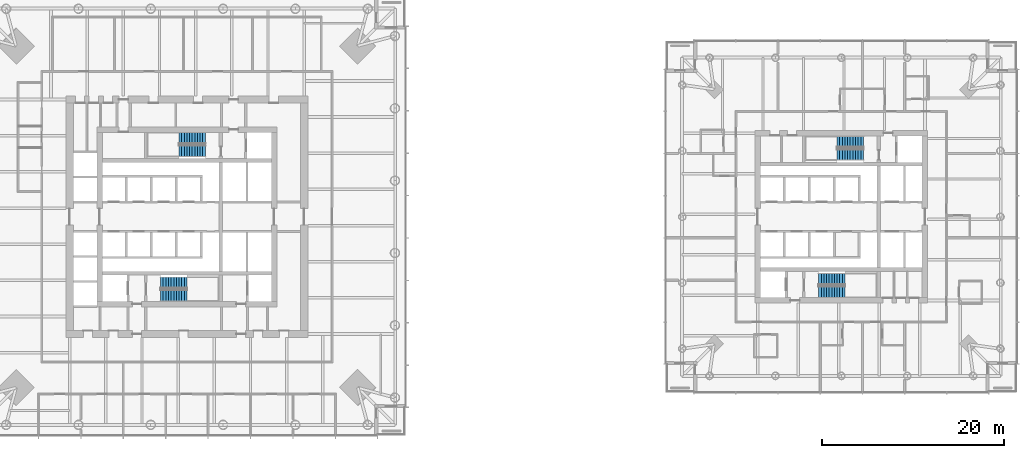
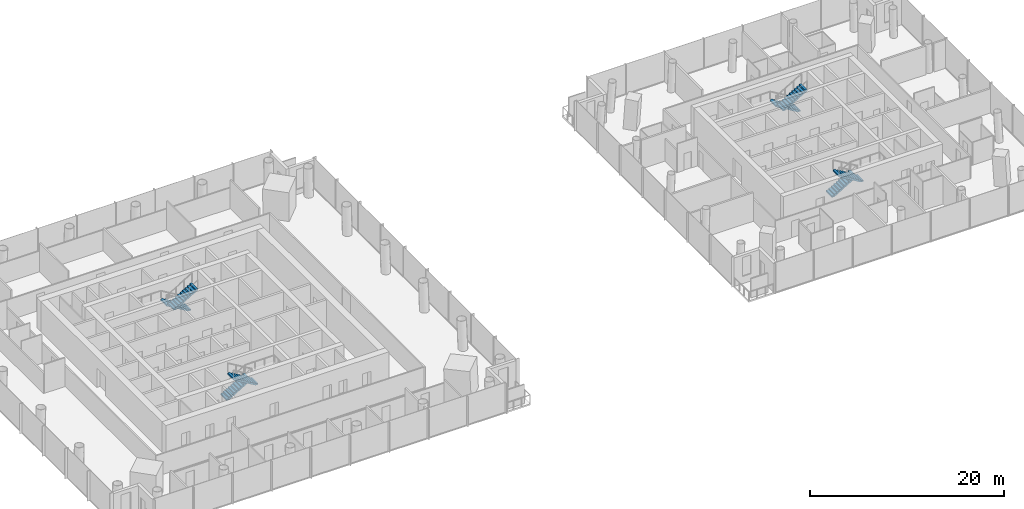
# One storey, part 16 of 18: 8 stair flights, 4 elements without a shape of their own.
"""IFC4 building model written with IfcOpenShell, lengths in metres."""

from ifc_helpers import new_model, si_unit, direction, frame, origin, place, context, subcontext, project, spatial, polyline, outline, extrude, material, type_object, element, aggregate, save


model = new_model("IFC4")

# Units and contexts
model_context = context("Model", 3, precision=1e-05, world=origin(), true_north=direction((0.0, 1.0)))
body_context = subcontext(model_context, "Body", "Model", "MODEL_VIEW")
ifc_project = project(units=[si_unit("LENGTHUNIT", "METRE"), si_unit("AREAUNIT", "SQUARE_METRE"), si_unit("VOLUMEUNIT", "CUBIC_METRE"), si_unit("PLANEANGLEUNIT", "RADIAN"), si_unit("MASSUNIT", "GRAM", prefix="KILO")], contexts=[model_context])

# Site, building, storey
site_placement = place(None, origin())
site = spatial("IfcSite", under=ifc_project, at=site_placement, CompositionType="ELEMENT")
building_placement = place(site_placement, origin())
building = spatial("IfcBuilding", under=site, at=building_placement, Name="Ostroluk Exchange", CompositionType="ELEMENT")
storey_placement = place(building_placement, frame((0.0, 0.0, 55.199951171875)))
storey = spatial("IfcBuildingStorey", under=building, at=storey_placement, Name="L13", CompositionType="ELEMENT", Elevation=55.199951171875)

# Stair, stair flights
ifc_material_1 = material(Name="Concrete C30/37", Category="concrete")
stair_type = type_object("IfcStairType", Name="Exit stair half turn 3800", PredefinedType="HALF_TURN_STAIR", material=ifc_material_1)
stair_1_placement = place(storey_placement, origin())
stair_1 = element("IfcStair", 1, at=stair_1_placement, inside=storey, type_object=stair_type, Name="Stair T1-S1 L13", PredefinedType="HALF_TURN_STAIR")
ifc_material_2 = material(Name="Concrete C30/37", Category="concrete")
stair_flight_type = type_object("IfcStairFlightType", Name="Stair flight 11 risers 172.7 x 290", PredefinedType="STRAIGHT", material=ifc_material_2)
stair_flight_1_placement = place(storey_placement, frame((42.10009765625, 38.77490234375, 0.0), z_axis=(0.0, 0.0, 1.0), x_axis=(1.0, 0.0, 0.0)))
stair_flight_1 = element("IfcStairFlight", 2, at=stair_flight_1_placement, type_object=stair_flight_type, Name="T1-S1 flight 1", NumberOfRisers=11, NumberOfTreads=10, PredefinedType="STRAIGHT", RiserHeight=0.172727273, TreadLength=0.29, context=body_context, shape_type="SweptSolid", body=[
    extrude(outline(polyline([(0.0, 0.0), (0.0, 0.172607421875), (0.2900390625, 0.172607421875), (0.2900390625, 0.345458984375), (0.580078125, 0.345458984375), (0.580078125, 0.51806640625), (0.8701171875, 0.51806640625), (0.8701171875, 0.69091796875), (1.159912109375, 0.69091796875), (1.159912109375, 0.863525390625), (1.449951171875, 0.863525390625), (1.449951171875, 1.036376953125), (1.739990234375, 1.036376953125), (1.739990234375, 1.208984375), (2.030029296875, 1.208984375), (2.030029296875, 1.3818359375), (2.320068359375, 1.3818359375), (2.320068359375, 1.554443359375), (2.610107421875, 1.554443359375), (2.610107421875, 1.727294921875), (2.89990234375, 1.727294921875), (2.89990234375, 1.89990234375), (2.89990234375, 1.552734375), (0.29296875, 0.0), (0.0, 0.0)])), frame((0.0, 0.625, 0.0), z_axis=(0.0, -1.0, 0.0), x_axis=(1.0, 0.0, 0.0)), (0.0, 0.0, 1.0), 1.25),
])
stair_flight_2_placement = place(storey_placement, frame((45.0, 37.324951171875, 1.900146484375), z_axis=(0.0, 0.0, 1.0), x_axis=(-1.0, 0.0, 0.0)))
stair_flight_2 = element("IfcStairFlight", 3, at=stair_flight_2_placement, type_object=stair_flight_type, Name="T1-S1 flight 2", NumberOfRisers=11, NumberOfTreads=10, PredefinedType="STRAIGHT", RiserHeight=0.172727273, TreadLength=0.29, context=body_context, shape_type="SweptSolid", body=[
    extrude(outline(polyline([(0.0, 0.0), (0.0, 0.172607421875), (0.2900390625, 0.172607421875), (0.2900390625, 0.345458984375), (0.580078125, 0.345458984375), (0.580078125, 0.51806640625), (0.8701171875, 0.51806640625), (0.8701171875, 0.69091796875), (1.159912109375, 0.69091796875), (1.159912109375, 0.863525390625), (1.449951171875, 0.863525390625), (1.449951171875, 1.036376953125), (1.739990234375, 1.036376953125), (1.739990234375, 1.208984375), (2.030029296875, 1.208984375), (2.030029296875, 1.3818359375), (2.320068359375, 1.3818359375), (2.320068359375, 1.554443359375), (2.610107421875, 1.554443359375), (2.610107421875, 1.727294921875), (2.89990234375, 1.727294921875), (2.89990234375, 1.89990234375), (2.89990234375, 1.552734375), (0.29296875, 0.0), (0.0, 0.0)])), frame((0.0, 0.625, 0.0), z_axis=(0.0, -1.0, 0.0), x_axis=(1.0, 0.0, 0.0)), (0.0, 0.0, 1.0), 1.25),
])
aggregate(stair_1, [stair_flight_1, stair_flight_2])

stair_2_placement = place(storey_placement, origin())
stair_2 = element("IfcStair", 4, at=stair_2_placement, inside=storey, type_object=stair_type, Name="Stair T1-S2 L13", PredefinedType="HALF_TURN_STAIR")
stair_flight_3_placement = place(storey_placement, frame((47.030029296875, 54.675048828125, 0.0), z_axis=(0.0, 0.0, 1.0), x_axis=(-1.0, 0.0, 0.0)))
stair_flight_3 = element("IfcStairFlight", 5, at=stair_flight_3_placement, type_object=stair_flight_type, Name="T1-S2 flight 1", NumberOfRisers=11, NumberOfTreads=10, PredefinedType="STRAIGHT", RiserHeight=0.172727273, TreadLength=0.29, context=body_context, shape_type="SweptSolid", body=[
    extrude(outline(polyline([(0.0, 0.0), (0.0, 0.172607421875), (0.2900390625, 0.172607421875), (0.2900390625, 0.345458984375), (0.580078125, 0.345458984375), (0.580078125, 0.51806640625), (0.8701171875, 0.51806640625), (0.8701171875, 0.69091796875), (1.159912109375, 0.69091796875), (1.159912109375, 0.863525390625), (1.449951171875, 0.863525390625), (1.449951171875, 1.036376953125), (1.739990234375, 1.036376953125), (1.739990234375, 1.208984375), (2.030029296875, 1.208984375), (2.030029296875, 1.3818359375), (2.320068359375, 1.3818359375), (2.320068359375, 1.554443359375), (2.610107421875, 1.554443359375), (2.610107421875, 1.727294921875), (2.89990234375, 1.727294921875), (2.89990234375, 1.89990234375), (2.89990234375, 1.552734375), (0.29296875, 0.0), (0.0, 0.0)])), frame((0.0, 0.625, 0.0), z_axis=(0.0, -1.0, 0.0), x_axis=(1.0, 0.0, 0.0)), (0.0, 0.0, 1.0), 1.25),
])
stair_flight_4_placement = place(storey_placement, frame((44.1298828125, 53.22509765625, 1.900146484375), z_axis=(0.0, 0.0, 1.0), x_axis=(1.0, 0.0, 0.0)))
stair_flight_4 = element("IfcStairFlight", 6, at=stair_flight_4_placement, type_object=stair_flight_type, Name="T1-S2 flight 2", NumberOfRisers=11, NumberOfTreads=10, PredefinedType="STRAIGHT", RiserHeight=0.172727273, TreadLength=0.29, context=body_context, shape_type="SweptSolid", body=[
    extrude(outline(polyline([(0.0, 0.0), (0.0, 0.172607421875), (0.2900390625, 0.172607421875), (0.2900390625, 0.345458984375), (0.580078125, 0.345458984375), (0.580078125, 0.51806640625), (0.8701171875, 0.51806640625), (0.8701171875, 0.69091796875), (1.159912109375, 0.69091796875), (1.159912109375, 0.863525390625), (1.449951171875, 0.863525390625), (1.449951171875, 1.036376953125), (1.739990234375, 1.036376953125), (1.739990234375, 1.208984375), (2.030029296875, 1.208984375), (2.030029296875, 1.3818359375), (2.320068359375, 1.3818359375), (2.320068359375, 1.554443359375), (2.610107421875, 1.554443359375), (2.610107421875, 1.727294921875), (2.89990234375, 1.727294921875), (2.89990234375, 1.89990234375), (2.89990234375, 1.552734375), (0.29296875, 0.0), (0.0, 0.0)])), frame((0.0, 0.625, 0.0), z_axis=(0.0, -1.0, 0.0), x_axis=(1.0, 0.0, 0.0)), (0.0, 0.0, 1.0), 1.25),
])
aggregate(stair_2, [stair_flight_3, stair_flight_4])

stair_3_placement = place(storey_placement, origin())
stair_3 = element("IfcStair", 7, at=stair_3_placement, inside=storey, type_object=stair_type, Name="Stair T2-S1 L13", PredefinedType="HALF_TURN_STAIR")
stair_flight_5_placement = place(storey_placement, frame((114.5, 39.175048828125, 0.0), z_axis=(0.0, 0.0, 1.0), x_axis=(1.0, 0.0, 0.0)))
stair_flight_5 = element("IfcStairFlight", 8, at=stair_flight_5_placement, type_object=stair_flight_type, Name="T2-S1 flight 1", NumberOfRisers=11, NumberOfTreads=10, PredefinedType="STRAIGHT", RiserHeight=0.172727273, TreadLength=0.29, context=body_context, shape_type="SweptSolid", body=[
    extrude(outline(polyline([(0.0, 0.0), (0.0, 0.172607421875), (0.2900390625, 0.172607421875), (0.2900390625, 0.345458984375), (0.580078125, 0.345458984375), (0.580078125, 0.51806640625), (0.8701171875, 0.51806640625), (0.8701171875, 0.69091796875), (1.159912109375, 0.69091796875), (1.159912109375, 0.863525390625), (1.449951171875, 0.863525390625), (1.449951171875, 1.036376953125), (1.739990234375, 1.036376953125), (1.739990234375, 1.208984375), (2.030029296875, 1.208984375), (2.030029296875, 1.3818359375), (2.320068359375, 1.3818359375), (2.320068359375, 1.554443359375), (2.610107421875, 1.554443359375), (2.610107421875, 1.727294921875), (2.89990234375, 1.727294921875), (2.89990234375, 1.89990234375), (2.89990234375, 1.552734375), (0.29296875, 0.0), (0.0, 0.0)])), frame((0.0, 0.625, 0.0), z_axis=(0.0, -1.0, 0.0), x_axis=(1.0, 0.0, 0.0)), (0.0, 0.0, 1.0), 1.25),
])
stair_flight_6_placement = place(storey_placement, frame((117.39990234375, 37.72509765625, 1.900146484375), z_axis=(0.0, 0.0, 1.0), x_axis=(-1.0, 0.0, 0.0)))
stair_flight_6 = element("IfcStairFlight", 9, at=stair_flight_6_placement, type_object=stair_flight_type, Name="T2-S1 flight 2", NumberOfRisers=11, NumberOfTreads=10, PredefinedType="STRAIGHT", RiserHeight=0.172727273, TreadLength=0.29, context=body_context, shape_type="SweptSolid", body=[
    extrude(outline(polyline([(0.0, 0.0), (0.0, 0.172607421875), (0.2900390625, 0.172607421875), (0.2900390625, 0.345458984375), (0.580078125, 0.345458984375), (0.580078125, 0.51806640625), (0.8701171875, 0.51806640625), (0.8701171875, 0.69091796875), (1.159912109375, 0.69091796875), (1.159912109375, 0.863525390625), (1.449951171875, 0.863525390625), (1.449951171875, 1.036376953125), (1.739990234375, 1.036376953125), (1.739990234375, 1.208984375), (2.030029296875, 1.208984375), (2.030029296875, 1.3818359375), (2.320068359375, 1.3818359375), (2.320068359375, 1.554443359375), (2.610107421875, 1.554443359375), (2.610107421875, 1.727294921875), (2.89990234375, 1.727294921875), (2.89990234375, 1.89990234375), (2.89990234375, 1.552734375), (0.29296875, 0.0), (0.0, 0.0)])), frame((0.0, 0.625, 0.0), z_axis=(0.0, -1.0, 0.0), x_axis=(1.0, 0.0, 0.0)), (0.0, 0.0, 1.0), 1.25),
])
aggregate(stair_3, [stair_flight_5, stair_flight_6])

stair_4_placement = place(storey_placement, origin())
stair_4 = element("IfcStair", 10, at=stair_4_placement, inside=storey, type_object=stair_type, Name="Stair T2-S2 L13", PredefinedType="HALF_TURN_STAIR")
stair_flight_7_placement = place(storey_placement, frame((119.429931640625, 54.27490234375, 0.0), z_axis=(0.0, 0.0, 1.0), x_axis=(-1.0, 0.0, 0.0)))
stair_flight_7 = element("IfcStairFlight", 11, at=stair_flight_7_placement, type_object=stair_flight_type, Name="T2-S2 flight 1", NumberOfRisers=11, NumberOfTreads=10, PredefinedType="STRAIGHT", RiserHeight=0.172727273, TreadLength=0.29, context=body_context, shape_type="SweptSolid", body=[
    extrude(outline(polyline([(0.0, 0.0), (0.0, 0.172607421875), (0.2900390625, 0.172607421875), (0.2900390625, 0.345458984375), (0.580078125, 0.345458984375), (0.580078125, 0.51806640625), (0.8701171875, 0.51806640625), (0.8701171875, 0.69091796875), (1.159912109375, 0.69091796875), (1.159912109375, 0.863525390625), (1.449951171875, 0.863525390625), (1.449951171875, 1.036376953125), (1.739990234375, 1.036376953125), (1.739990234375, 1.208984375), (2.030029296875, 1.208984375), (2.030029296875, 1.3818359375), (2.320068359375, 1.3818359375), (2.320068359375, 1.554443359375), (2.610107421875, 1.554443359375), (2.610107421875, 1.727294921875), (2.89990234375, 1.727294921875), (2.89990234375, 1.89990234375), (2.89990234375, 1.552734375), (0.29296875, 0.0), (0.0, 0.0)])), frame((0.0, 0.625, 0.0), z_axis=(0.0, -1.0, 0.0), x_axis=(1.0, 0.0, 0.0)), (0.0, 0.0, 1.0), 1.25),
])
stair_flight_8_placement = place(storey_placement, frame((116.530029296875, 52.824951171875, 1.900146484375), z_axis=(0.0, 0.0, 1.0), x_axis=(1.0, 0.0, 0.0)))
stair_flight_8 = element("IfcStairFlight", 12, at=stair_flight_8_placement, type_object=stair_flight_type, Name="T2-S2 flight 2", NumberOfRisers=11, NumberOfTreads=10, PredefinedType="STRAIGHT", RiserHeight=0.172727273, TreadLength=0.29, context=body_context, shape_type="SweptSolid", body=[
    extrude(outline(polyline([(0.0, 0.0), (0.0, 0.172607421875), (0.2900390625, 0.172607421875), (0.2900390625, 0.345458984375), (0.580078125, 0.345458984375), (0.580078125, 0.51806640625), (0.8701171875, 0.51806640625), (0.8701171875, 0.69091796875), (1.159912109375, 0.69091796875), (1.159912109375, 0.863525390625), (1.449951171875, 0.863525390625), (1.449951171875, 1.036376953125), (1.739990234375, 1.036376953125), (1.739990234375, 1.208984375), (2.030029296875, 1.208984375), (2.030029296875, 1.3818359375), (2.320068359375, 1.3818359375), (2.320068359375, 1.554443359375), (2.610107421875, 1.554443359375), (2.610107421875, 1.727294921875), (2.89990234375, 1.727294921875), (2.89990234375, 1.89990234375), (2.89990234375, 1.552734375), (0.29296875, 0.0), (0.0, 0.0)])), frame((0.0, 0.625, 0.0), z_axis=(0.0, -1.0, 0.0), x_axis=(1.0, 0.0, 0.0)), (0.0, 0.0, 1.0), 1.25),
])
aggregate(stair_4, [stair_flight_7, stair_flight_8])

save(model, "model.ifc")
